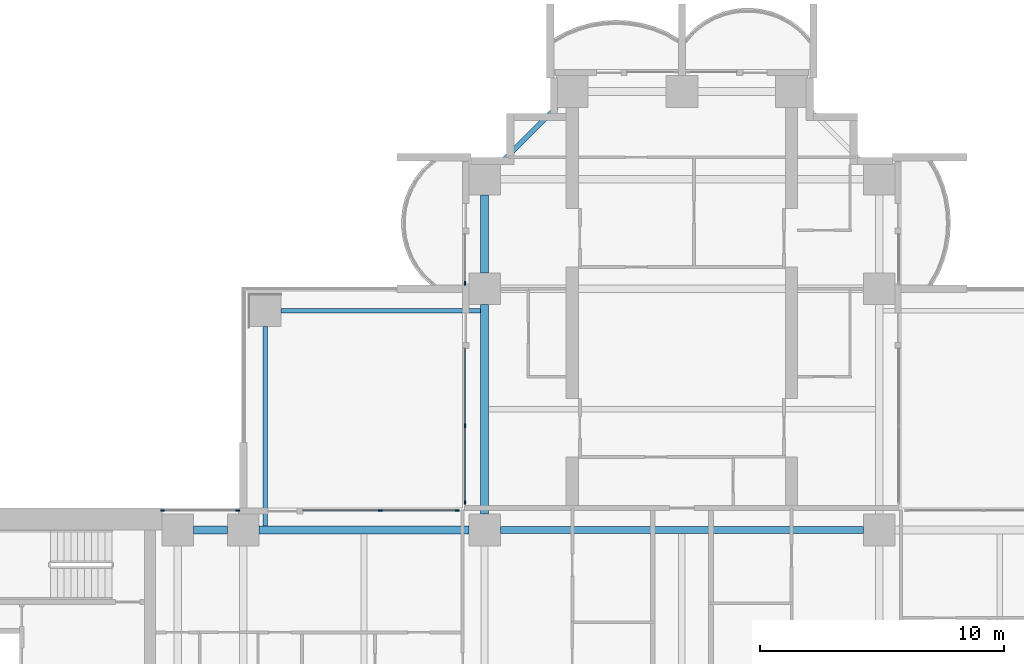
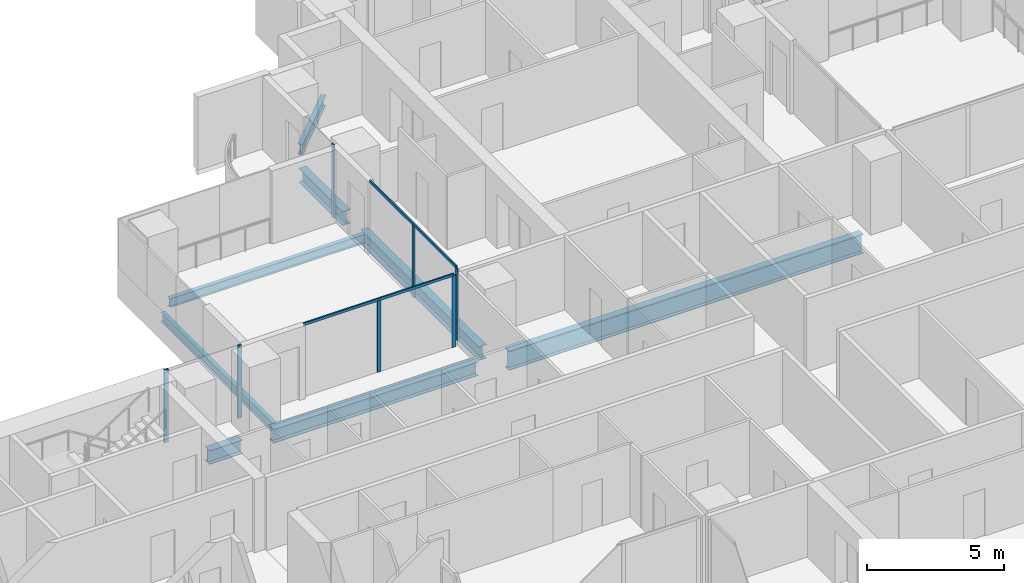
# One storey, part 5 of 21: 9 members, 8 beams, 4 elements without a shape of their own.
"""IFC4 building model written with IfcOpenShell, lengths in metres."""

import ifcopenshell
import ifcopenshell.guid

model = None  # the IFC model being written
_history = None  # IfcOwnerHistory: only IFC2X3 demands one
_inside = {}  # id of a spatial element -> (the spatial element, [elements in it])
_under = {}  # id of a project, library or spatial element -> (it, [spatial elements below it])
_declared = {}  # id of a project -> (the project, [libraries it declares])
_typed = {}  # id of a type object -> (the type object, [elements of that type])
_made_of = {}  # id of a material, layer set ... -> (it, [elements and type objects made of it])


def new_model(schema):
    """Start an empty IFC model of exactly this schema.

    Asked for "IFC4X3", IfcOpenShell would pick the latest addendum, in which some entities
    have other attributes; the version numbers below select the first issue.
    IFC2X3 requires an IfcOwnerHistory on every rooted entity: one is made here for all.
    """
    global model, _history
    if schema == "IFC4X3":
        model = ifcopenshell.file(schema_version=(4, 3, 0, 0))
    else:
        model = ifcopenshell.file(schema=schema)
    _inside.clear()
    _under.clear()
    _declared.clear()
    _typed.clear()
    _made_of.clear()
    _history = None
    if model.schema == "IFC2X3":
        org = make("IfcOrganization", Name="unknown")
        user = make(
            "IfcPersonAndOrganization",
            ThePerson=make("IfcPerson", FamilyName="unknown"),
            TheOrganization=org,
        )
        app = make(
            "IfcApplication",
            ApplicationDeveloper=org,
            Version="unknown",
            ApplicationFullName="unknown",
            ApplicationIdentifier="unknown",
        )
        _history = make(
            "IfcOwnerHistory",
            OwningUser=user,
            OwningApplication=app,
            ChangeAction="ADDED",
            CreationDate=0,
        )
    return model


def make(cls, **values):
    """One entity of the class cls with the attributes given. An attribute that is None is left unset."""
    return model.create_entity(
        cls, **{name: value for name, value in values.items() if value is not None}
    )


def rooted(cls, **values):
    """An entity with a GlobalId (a new one), such as an element, a storey or a relation."""
    return make(cls, GlobalId=ifcopenshell.guid.new(), OwnerHistory=_history, **values)


def si_unit(unit_type, name, prefix=None):
    """IfcSIUnit, for example si_unit("LENGTHUNIT", "METRE", prefix="MILLI")."""
    return make("IfcSIUnit", UnitType=unit_type, Prefix=prefix, Name=name)


def assignment(units):
    """IfcUnitAssignment: the units of a project."""
    return None if units is None else make("IfcUnitAssignment", Units=units)


def point(xyz):
    """IfcCartesianPoint."""
    return None if xyz is None else make("IfcCartesianPoint", Coordinates=xyz)


def direction(xyz):
    """IfcDirection."""
    return None if xyz is None else make("IfcDirection", DirectionRatios=xyz)


def frame(location, z_axis=None, x_axis=None):
    """IfcAxis2Placement3D, a coordinate frame: its origin and axes. An axis left out is left unset."""
    return make(
        "IfcAxis2Placement3D",
        Location=point(location),
        Axis=direction(z_axis),
        RefDirection=direction(x_axis),
    )


def frame_2d(location, x_axis=None):
    """IfcAxis2Placement2D, a coordinate frame in the plane: its origin and x axis."""
    return make(
        "IfcAxis2Placement2D", Location=point(location), RefDirection=direction(x_axis)
    )


def origin():
    """The frame at (0, 0, 0) with its axes left unset."""
    return frame((0.0, 0.0, 0.0))


def origin_2d():
    """The frame at (0, 0) in the plane with its x axis left unset."""
    return frame_2d((0.0, 0.0))


def place(relative_to, where):
    """IfcLocalPlacement: puts the frame where relative to a parent placement (None: the world)."""
    return make(
        "IfcLocalPlacement", PlacementRelTo=relative_to, RelativePlacement=where
    )


def context(
    kind, dimensions, precision=None, world=None, true_north=None, identifier=None
):
    """IfcGeometricRepresentationContext, for example the 3D "Model" context."""
    return make(
        "IfcGeometricRepresentationContext",
        ContextIdentifier=identifier,
        ContextType=kind,
        CoordinateSpaceDimension=dimensions,
        Precision=precision,
        WorldCoordinateSystem=world,
        TrueNorth=true_north,
    )


def subcontext(parent, identifier, kind, view, scale=None):
    """IfcGeometricRepresentationSubContext, for example "Body" below "Model"."""
    return make(
        "IfcGeometricRepresentationSubContext",
        ContextIdentifier=identifier,
        ContextType=kind,
        ParentContext=parent,
        TargetScale=scale,
        TargetView=view,
    )


def project(units=None, contexts=None):
    """IfcProject with its units and contexts."""
    return rooted(
        "IfcProject",
        Name="project",
        RepresentationContexts=contexts,
        UnitsInContext=assignment(units),
    )


def spatial(cls, under=None, at=None, **own):
    """A site, building, storey or space (cls), placed at a placement, below another one or the project."""
    s = rooted(cls, ObjectPlacement=at, **own)
    if under is not None:
        _under.setdefault(under.id(), (under, []))[1].append(s)
    return s


def profile(cls, at=None, kind="AREA", **sizes):
    """A parametric profile (cls). Its sizes go by their IFC names, for example OverallWidth=200.0."""
    return make(cls, ProfileType=kind, Position=at, **sizes)


def rectangle(**sizes):
    """IfcRectangleProfileDef."""
    return profile("IfcRectangleProfileDef", **sizes)


def i_section(**sizes):
    """IfcIShapeProfileDef."""
    return profile("IfcIShapeProfileDef", **sizes)


def extrude(swept, where, along, depth):
    """IfcExtrudedAreaSolid: the profile swept, set in the frame where, extruded along a direction by depth."""
    return make(
        "IfcExtrudedAreaSolid",
        SweptArea=swept,
        Position=where,
        ExtrudedDirection=direction(along),
        Depth=depth,
    )


def shape(context_of_items, identifier, shape_type, items):
    """IfcShapeRepresentation: the items that make up one representation, for example the "Body"."""
    return make(
        "IfcShapeRepresentation",
        ContextOfItems=context_of_items,
        RepresentationIdentifier=identifier,
        RepresentationType=shape_type,
        Items=items,
    )


def material(Name=None, Category=None):
    """IfcMaterial."""
    return make("IfcMaterial", Name=Name, Category=Category)


def material_profile(
    of_material, cross_section, Name=None, Category=None, Priority=None
):
    """IfcMaterialProfile: a cross section and its material."""
    return make(
        "IfcMaterialProfile",
        Name=Name,
        Material=of_material,
        Profile=cross_section,
        Priority=Priority,
        Category=Category,
    )


def profile_set(profiles, Name=None, composite=None):
    """IfcMaterialProfileSet."""
    return make(
        "IfcMaterialProfileSet",
        Name=Name,
        MaterialProfiles=profiles,
        CompositeProfile=composite,
    )


def made_of(thing, what):
    """Note that an element or type object is made of a material, layer set ...; save() writes the relation."""
    if what is not None:
        _made_of.setdefault(what.id(), (what, []))[1].append(thing)
    return thing


def type_object(cls, material=None, **own):
    """A type object (cls), such as IfcWallType, which elements share."""
    return made_of(rooted(cls, **own), material)


def element(
    cls,
    number,
    at=None,
    inside=None,
    cuts=None,
    type_object=None,
    material=None,
    context=None,
    identifier="Body",
    shape_type=None,
    held_by="IfcProductDefinitionShape",
    body=None,
    shapes=None,
    **own,
):
    """One element of the class cls, such as IfcWall. Its Tag is "e" and its number.

    at: its placement. inside: the storey or other place that contains it. cuts: it is an
    opening in that element (IfcRelVoidsElement). A single representation is given by context,
    identifier, shape_type and body (its items); several are given by shapes. held_by: the class
    of the entity that holds the representations. save() writes the other relations.
    """
    e = rooted(cls, Tag="e%d" % number, ObjectPlacement=at, **own)
    if body is not None:
        shapes = [shape(context, identifier, shape_type, body)]
    if shapes is not None:
        e.Representation = make(held_by, Representations=shapes)
    if inside is not None:
        _inside.setdefault(inside.id(), (inside, []))[1].append(e)
    if cuts is not None:
        rooted(
            "IfcRelVoidsElement", RelatingBuildingElement=cuts, RelatedOpeningElement=e
        )
    if type_object is not None:
        _typed.setdefault(type_object.id(), (type_object, []))[1].append(e)
    return made_of(e, material)


def aggregate(whole, parts):
    """IfcRelAggregates: a whole, such as a stair, and the parts it consists of."""
    return rooted("IfcRelAggregates", RelatingObject=whole, RelatedObjects=parts)


def save(model, path):
    """Write the relations noted so far, then the file.

    IfcRelAggregates (storeys below a building ...), IfcRelContainedInSpatialStructure (elements
    in a storey), IfcRelDefinesByType, IfcRelAssociatesMaterial and IfcRelDeclares: one each for
    every whole, place, type object, material and project.
    """
    for whole, parts in _under.values():
        aggregate(whole, parts)
    for where, things in _inside.values():
        rooted(
            "IfcRelContainedInSpatialStructure",
            RelatedElements=things,
            RelatingStructure=where,
        )
    for kind, things in _typed.values():
        rooted("IfcRelDefinesByType", RelatedObjects=things, RelatingType=kind)
    for what, things in _made_of.values():
        rooted("IfcRelAssociatesMaterial", RelatedObjects=things, RelatingMaterial=what)
    for by, libraries in _declared.values():
        rooted("IfcRelDeclares", RelatingContext=by, RelatedDefinitions=libraries)
    model.write(path)


model = new_model("IFC4")

# Units and contexts
model_context = context("Model", 3, precision=1e-05, world=origin(), true_north=direction((0.0, 1.0)))
body_context = subcontext(model_context, "Body", "Model", "MODEL_VIEW")
ifc_project = project(units=[si_unit("LENGTHUNIT", "METRE"), si_unit("AREAUNIT", "SQUARE_METRE"), si_unit("VOLUMEUNIT", "CUBIC_METRE"), si_unit("PLANEANGLEUNIT", "RADIAN"), si_unit("MASSUNIT", "GRAM", prefix="KILO")], contexts=[model_context])

# Site, building, storey
site_placement = place(None, origin())
site = spatial("IfcSite", under=ifc_project, at=site_placement, CompositionType="ELEMENT")
building_placement = place(site_placement, origin())
building = spatial("IfcBuilding", under=site, at=building_placement, Name="Perihelion Cross Residences", CompositionType="ELEMENT")
storey_placement = place(building_placement, frame((0.0, 0.0, 64.5)))
storey = spatial("IfcBuildingStorey", under=building, at=storey_placement, Name="L13", CompositionType="ELEMENT", Elevation=64.5)

# Curtain wall, member
ifc_material_1 = material(Name="Bronze anodised aluminium, tinted glazing", Category="aluminium")
curtain_wall_type = type_object("IfcCurtainWallType", Name="CW1", PredefinedType="NOTDEFINED", material=ifc_material_1)
curtain_wall_1_placement = place(storey_placement, origin())
curtain_wall_1 = element("IfcCurtainWall", 1, at=curtain_wall_1_placement, inside=storey, type_object=curtain_wall_type, Name="Curtain wall CW1 L13 north side west bay 1", PredefinedType="NOTDEFINED")
ifc_material_2 = material(Name="Bronze anodised aluminium", Category="aluminium")
ifc_material_profile_1 = material_profile(ifc_material_2, rectangle(XDim=0.06005859375, YDim=0.159912109375, at=origin_2d()), Name="CW1 mullion")
ifc_profile_set_1 = profile_set([ifc_material_profile_1], Name="Bronze anodised aluminium")
member_type_1 = type_object("IfcMemberType", Name="CW1 mullion", PredefinedType="MULLION", material=ifc_profile_set_1)
member_1_placement = place(storey_placement, frame((-8.89990234375, 18.22998046875, 0.0), z_axis=(0.0, 0.0, 1.0), x_axis=(1.0, 0.0, 0.0)))
member_1 = element("IfcMember", 2, at=member_1_placement, type_object=member_type_1, Name="CW1 mullion 2", PredefinedType="MULLION", context=body_context, shape_type="SweptSolid", body=[
    extrude(rectangle(XDim=0.06005859375, YDim=0.159912109375, at=origin_2d()), origin(), (0.0, 0.0, 1.0), 3.25),
])
aggregate(curtain_wall_1, [member_1])

# Curtain wall, members
curtain_wall_2_placement = place(storey_placement, origin())
curtain_wall_2 = element("IfcCurtainWall", 3, at=curtain_wall_2_placement, inside=storey, type_object=curtain_wall_type, Name="Curtain wall CW1 L13 north side west bay 2", PredefinedType="NOTDEFINED")
member_2_placement = place(storey_placement, frame((-8.89990234375, 12.375, 0.0), z_axis=(0.0, 0.0, 1.0), x_axis=(1.0, 0.0, 0.0)))
member_2 = element("IfcMember", 4, at=member_2_placement, type_object=member_type_1, Name="CW1 mullion 2", PredefinedType="MULLION", context=body_context, shape_type="SweptSolid", body=[
    extrude(rectangle(XDim=0.06005859375, YDim=0.159912109375, at=origin_2d()), origin(), (0.0, 0.0, 1.0), 3.18994140625),
])
member_3_placement = place(storey_placement, frame((-8.89990234375, 9.22998046875, 0.0), z_axis=(0.0, 0.0, 1.0), x_axis=(1.0, 0.0, 0.0)))
member_3 = element("IfcMember", 5, at=member_3_placement, type_object=member_type_1, Name="CW1 mullion 3", PredefinedType="MULLION", context=body_context, shape_type="SweptSolid", body=[
    extrude(rectangle(XDim=0.06005859375, YDim=0.159912109375, at=origin_2d()), origin(), (0.0, 0.0, 1.0), 3.18994140625),
])

curtain_wall_3_placement = place(storey_placement, origin())
curtain_wall_3 = element("IfcCurtainWall", 6, at=curtain_wall_3_placement, inside=storey, type_object=curtain_wall_type, Name="Curtain wall CW1 L13 west side north bay 1", PredefinedType="NOTDEFINED")
member_4_placement = place(storey_placement, frame((-9.22998046875, 8.89990234375, 0.0), z_axis=(0.0, 0.0, 1.0), x_axis=(0.0, -1.0, 0.0)))
member_4 = element("IfcMember", 7, at=member_4_placement, type_object=member_type_1, Name="CW1 mullion 1", PredefinedType="MULLION", context=body_context, shape_type="SweptSolid", body=[
    extrude(rectangle(XDim=0.06005859375, YDim=0.159912109375, at=origin_2d()), origin(), (0.0, 0.0, 1.0), 3.18994140625),
])
member_5_placement = place(storey_placement, frame((-12.375, 8.89990234375, 0.0), z_axis=(0.0, 0.0, 1.0), x_axis=(0.0, -1.0, 0.0)))
member_5 = element("IfcMember", 8, at=member_5_placement, type_object=member_type_1, Name="CW1 mullion 2", PredefinedType="MULLION", context=body_context, shape_type="SweptSolid", body=[
    extrude(rectangle(XDim=0.06005859375, YDim=0.159912109375, at=origin_2d()), origin(), (0.0, 0.0, 1.0), 3.18994140625),
])

curtain_wall_4_placement = place(storey_placement, origin())
curtain_wall_4 = element("IfcCurtainWall", 9, at=curtain_wall_4_placement, inside=storey, type_object=curtain_wall_type, Name="Curtain wall CW1 L13 west side north bay 2", PredefinedType="NOTDEFINED")
member_6_placement = place(storey_placement, frame((-18.22998046875, 8.89990234375, 0.0), z_axis=(0.0, 0.0, 1.0), x_axis=(0.0, -1.0, 0.0)))
member_6 = element("IfcMember", 10, at=member_6_placement, type_object=member_type_1, Name="CW1 mullion 1", PredefinedType="MULLION", context=body_context, shape_type="SweptSolid", body=[
    extrude(rectangle(XDim=0.06005859375, YDim=0.159912109375, at=origin_2d()), origin(), (0.0, 0.0, 1.0), 3.25),
])
member_7_placement = place(storey_placement, frame((-21.320068359375, 8.89990234375, 0.0), z_axis=(0.0, 0.0, 1.0), x_axis=(0.0, -1.0, 0.0)))
member_7 = element("IfcMember", 11, at=member_7_placement, type_object=member_type_1, Name="CW1 mullion 2", PredefinedType="MULLION", context=body_context, shape_type="SweptSolid", body=[
    extrude(rectangle(XDim=0.06005859375, YDim=0.159912109375, at=origin_2d()), origin(), (0.0, 0.0, 1.0), 3.25),
])
aggregate(curtain_wall_4, [member_6, member_7])

# Member
ifc_material_3 = material(Name="Bronze anodised aluminium", Category="aluminium")
ifc_material_profile_2 = material_profile(ifc_material_3, rectangle(XDim=0.06005859375, YDim=0.1201171875, at=origin_2d()), Name="CW1 transom")
ifc_profile_set_2 = profile_set([ifc_material_profile_2], Name="Bronze anodised aluminium")
member_type_2 = type_object("IfcMemberType", Name="CW1 transom", PredefinedType="USERDEFINED", material=ifc_profile_set_2)
member_8_placement = place(storey_placement, frame((-8.89990234375, 15.550048828125, 3.219970703125), z_axis=(0.0, -1.0, 0.0), x_axis=(1.0, 0.0, 0.0)))
member_8 = element("IfcMember", 12, at=member_8_placement, type_object=member_type_2, Name="CW1 head transom", ObjectType="TRANSOM", PredefinedType="USERDEFINED", context=body_context, shape_type="SweptSolid", body=[
    extrude(rectangle(XDim=0.06005859375, YDim=0.1201171875, at=origin_2d()), origin(), (0.0, 0.0, 1.0), 6.320068359375),
])

aggregate(curtain_wall_2, [member_2, member_3, member_8])

member_9_placement = place(storey_placement, frame((-9.22998046875, 8.89990234375, 3.219970703125), z_axis=(-1.0, 0.0, 0.0), x_axis=(0.0, -1.0, 0.0)))
member_9 = element("IfcMember", 13, at=member_9_placement, type_object=member_type_2, Name="CW1 head transom", ObjectType="TRANSOM", PredefinedType="USERDEFINED", context=body_context, shape_type="SweptSolid", body=[
    extrude(rectangle(XDim=0.06005859375, YDim=0.1201171875, at=origin_2d()), origin(), (0.0, 0.0, 1.0), 6.320068359375),
])

aggregate(curtain_wall_3, [member_4, member_5, member_9])

# Beams
ifc_material_4 = material(Name="Steel S355", Category="steel")
ifc_material_profile_3 = material_profile(ifc_material_4, i_section(OverallWidth=0.177978515625, OverallDepth=0.406005859375, WebThickness=0.0078125, FlangeThickness=0.0126953125, at=origin_2d()), Name="W410x60")
ifc_profile_set_3 = profile_set([ifc_material_profile_3], Name="Steel S355")
beam_type_1 = type_object("IfcBeamType", Name="Core edge beam W410x60", PredefinedType="BEAM", material=ifc_profile_set_3)
for number, where, z_axis, x_axis, name in (
    (14, (-17.10009765625, 8.262451171875, -0.452880859375), (0.0, 1.0, 0.0), (-1.0, 0.0, 0.0), "Core edge beam TB2 L13 corner no. 3"),
    (15, (-8.262451171875, 17.10009765625, -0.452880859375), (-1.0, 0.0, 0.0), (0.0, -1.0, 0.0), "Core edge beam TB2 L13 corner no. 4"),
):
    element("IfcBeam", number, at=place(storey_placement, frame(where, z_axis=z_axis, x_axis=x_axis)), inside=storey, type_object=beam_type_1, Name=name, PredefinedType="BEAM", context=body_context, shape_type="SweptSolid", body=[
        extrude(i_section(OverallWidth=0.177978515625, OverallDepth=0.406005859375, WebThickness=0.0078125, FlangeThickness=0.0126953125, at=origin_2d()), origin(), (0.0, 0.0, 1.0), 8.1875),
    ])
ifc_material_5 = material(Name="Steel S355", Category="steel")
ifc_material_profile_4 = material_profile(ifc_material_5, i_section(OverallWidth=0.324951171875, OverallDepth=0.616943359375, WebThickness=0.013916015625, FlangeThickness=0.021484375, at=origin_2d()), Name="W610x174")
ifc_profile_set_4 = profile_set([ifc_material_profile_4], Name="Steel S355")
beam_type_2 = type_object("IfcBeamType", Name="Edge beam W610x174", PredefinedType="SPANDREL", material=ifc_profile_set_4)
beam_1_placement = place(storey_placement, frame((-8.10009765625, 21.85009765625, -0.55859375), z_axis=(0.0, -1.0, 0.0), x_axis=(1.0, 0.0, 0.0)))
element("IfcBeam", 16, at=beam_1_placement, inside=storey, type_object=beam_type_2, Name="Edge beam SB2 L13 no. 8", PredefinedType="SPANDREL", context=body_context, shape_type="SweptSolid", body=[
    extrude(i_section(OverallWidth=0.324951171875, OverallDepth=0.616943359375, WebThickness=0.013916015625, FlangeThickness=0.021484375, at=origin_2d()), origin(), (0.0, 0.0, 1.0), 3.2001953125),
])
for number, where, z_axis, x_axis, name in (
    (17, (-8.10009765625, 17.35009765625, -0.55859375), (0.0, -1.0, 0.0), (1.0, 0.0, 0.0), "Edge beam SB2 L13 no. 7"),
    (18, (-8.75, 8.10009765625, -0.55859375), (-1.0, 0.0, 0.0), (0.0, -1.0, 0.0), "Edge beam SB2 L13 no. 9"),
):
    element("IfcBeam", number, at=place(storey_placement, frame(where, z_axis=z_axis, x_axis=x_axis)), inside=storey, type_object=beam_type_2, Name=name, PredefinedType="SPANDREL", context=body_context, shape_type="SweptSolid", body=[
        extrude(i_section(OverallWidth=0.324951171875, OverallDepth=0.616943359375, WebThickness=0.013916015625, FlangeThickness=0.021484375, at=origin_2d()), origin(), (0.0, 0.0, 1.0), 8.60009765625),
    ])
beam_2_placement = place(storey_placement, frame((-18.64990234375, 8.10009765625, -0.55859375), z_axis=(-1.0, 0.0, 0.0), x_axis=(0.0, -1.0, 0.0)))
element("IfcBeam", 19, at=beam_2_placement, inside=storey, type_object=beam_type_2, Name="Edge beam SB2 L13 no. 2", PredefinedType="SPANDREL", context=body_context, shape_type="SweptSolid", body=[
    extrude(i_section(OverallWidth=0.324951171875, OverallDepth=0.616943359375, WebThickness=0.013916015625, FlangeThickness=0.021484375, at=origin_2d()), origin(), (0.0, 0.0, 1.0), 1.400146484375),
])
ifc_material_6 = material(Name="Steel S355", Category="steel")
ifc_material_profile_5 = material_profile(ifc_material_6, i_section(OverallWidth=0.2919921875, OverallDepth=0.85888671875, WebThickness=0.01708984375, FlangeThickness=0.031005859375, at=origin_2d()), Name="W840x251")
ifc_profile_set_5 = profile_set([ifc_material_profile_5], Name="Steel S355")
beam_type_3 = type_object("IfcBeamType", Name="Hub ring girder W840x251", PredefinedType="BEAM", material=ifc_profile_set_5)
beam_3_placement = place(storey_placement, frame((7.449951171875, 8.10009765625, -0.679443359375), z_axis=(-1.0, 0.0, 0.0), x_axis=(0.0, -1.0, 0.0)))
element("IfcBeam", 20, at=beam_3_placement, inside=storey, type_object=beam_type_3, Name="Hub ring girder RG2 L13 no. 4", PredefinedType="BEAM", context=body_context, shape_type="SweptSolid", body=[
    extrude(i_section(OverallWidth=0.2919921875, OverallDepth=0.85888671875, WebThickness=0.01708984375, FlangeThickness=0.031005859375, at=origin_2d()), origin(), (0.0, 0.0, 1.0), 14.89990234375),
])
ifc_material_7 = material(Name="Steel S355", Category="steel")
ifc_material_profile_6 = material_profile(ifc_material_7, i_section(OverallWidth=0.194091796875, OverallDepth=0.469970703125, WebThickness=0.0126953125, FlangeThickness=0.0205078125, at=origin_2d()), Name="W460x106")
ifc_profile_set_6 = profile_set([ifc_material_profile_6], Name="Steel S355")
beam_type_4 = type_object("IfcBeamType", Name="Serration edge beam W460x106", PredefinedType="BEAM", material=ifc_profile_set_6)
beam_4_placement = place(storey_placement, frame((-5.14990234375, 25.449951171875, -0.485107421875), z_axis=(-0.707106781187, -0.707106781187, 0.0), x_axis=(0.707106781187, -0.707106781187, 0.0)))
element("IfcBeam", 21, at=beam_4_placement, inside=storey, type_object=beam_type_4, Name="Serration edge beam EB2 L13 no. 1", PredefinedType="BEAM", context=body_context, shape_type="SweptSolid", body=[
    extrude(i_section(OverallWidth=0.194091796875, OverallDepth=0.469970703125, WebThickness=0.0126953125, FlangeThickness=0.0205078125, at=origin_2d()), origin(), (0.0, 0.0, 1.0), 3.252685546875),
])

save(model, "model.ifc")
